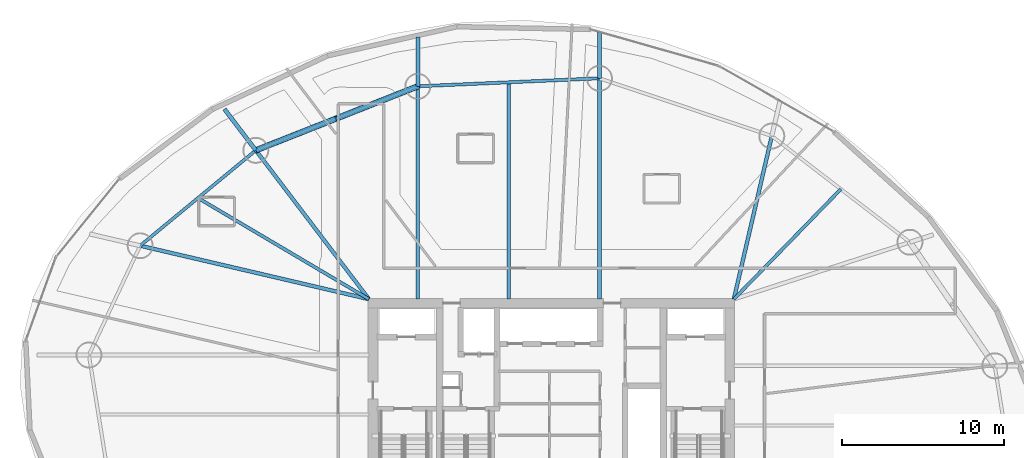
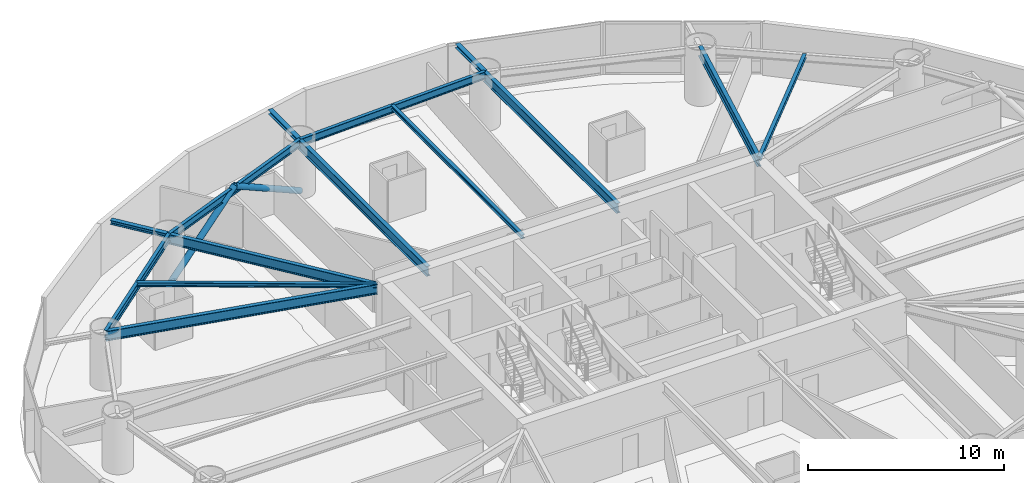
# One storey, part 12 of 23: 14 beams, 2 members.
"""IFC4 building model written with IfcOpenShell, lengths in metres."""

from ifc_helpers import new_model, si_unit, direction, frame, origin, origin_2d, place, context, subcontext, project, spatial, hollow_circle, i_section, extrude, material, material_profile, profile_set, type_object, element, save


model = new_model("IFC4")

# Units and contexts
model_context = context("Model", 3, precision=1e-05, world=origin(), true_north=direction((0.0, 1.0)))
body_context = subcontext(model_context, "Body", "Model", "MODEL_VIEW")
ifc_project = project(units=[si_unit("LENGTHUNIT", "METRE"), si_unit("AREAUNIT", "SQUARE_METRE"), si_unit("VOLUMEUNIT", "CUBIC_METRE"), si_unit("PLANEANGLEUNIT", "RADIAN"), si_unit("MASSUNIT", "GRAM", prefix="KILO")], contexts=[model_context])

# Site, building, storey
site_placement = place(None, origin())
site = spatial("IfcSite", under=ifc_project, at=site_placement, CompositionType="ELEMENT")
building_placement = place(site_placement, origin())
building = spatial("IfcBuilding", under=site, at=building_placement, Name="Bramvorn Convention Spire", CompositionType="ELEMENT")
storey_placement = place(building_placement, frame((0.0, 0.0, 69.39990234375)))
storey = spatial("IfcBuildingStorey", under=building, at=storey_placement, Name="L15", CompositionType="ELEMENT", Elevation=69.39990234375)

# Beams
ifc_material = material(Name="Steel CSA G40.21 Grade 350 (350W)", Category="steel")
ifc_material_profile_1 = material_profile(ifc_material, i_section(OverallWidth=0.201904296875, OverallDepth=0.2470703125, WebThickness=0.00732421875, FlangeThickness=0.010986328125, FilletRadius=0.011962890625, at=origin_2d()))
ifc_profile_set_1 = profile_set([ifc_material_profile_1], Name="Steel CSA G40.21 Grade 350 (350W) - W250X49")
beam_type_1 = type_object("IfcBeamType", Name="BM-W250X49", PredefinedType="JOIST", material=ifc_profile_set_1)
beam_1_placement = place(storey_placement, frame((49.25, 33.449951171875, 3.126708984375), z_axis=(0.697170484005, 0.716905374671, 0.0), x_axis=(-0.716905374671, 0.697170484005, 0.0)))
element("IfcBeam", 1, at=beam_1_placement, inside=storey, type_object=beam_type_1, Name="L15 composite floor joist 03", PredefinedType="JOIST", context=body_context, shape_type="SweptSolid", body=[
    extrude(i_section(OverallWidth=0.201904296875, OverallDepth=0.2470703125, WebThickness=0.00732421875, FlangeThickness=0.010986328125, FilletRadius=0.011962890625, at=origin_2d()), origin(), (0.0, 0.0, 1.0), 9.4638671875),
])
beam_2_placement = place(storey_placement, frame((35.361572265625, 33.449951171875, 3.126708984375), z_axis=(0.0, 1.0, 0.0), x_axis=(-1.0, 0.0, 0.0)))
element("IfcBeam", 2, at=beam_2_placement, inside=storey, type_object=beam_type_1, Name="L15 composite floor joist 05", PredefinedType="JOIST", context=body_context, shape_type="SweptSolid", body=[
    extrude(i_section(OverallWidth=0.201904296875, OverallDepth=0.2470703125, WebThickness=0.00732421875, FlangeThickness=0.010986328125, FilletRadius=0.011962890625, at=origin_2d()), origin(), (0.0, 0.0, 1.0), 13.372802734375),
])
beam_3_placement = place(storey_placement, frame((26.75, 33.449951171875, 3.126708984375), z_axis=(-0.860664556648, 0.509172388223, 0.0), x_axis=(-0.509172388223, -0.860664556648, 0.0)))
element("IfcBeam", 3, at=beam_3_placement, inside=storey, type_object=beam_type_1, Name="L15 composite floor joist 07", PredefinedType="JOIST", context=body_context, shape_type="SweptSolid", body=[
    extrude(i_section(OverallWidth=0.201904296875, OverallDepth=0.2470703125, WebThickness=0.00732421875, FlangeThickness=0.010986328125, FilletRadius=0.011962890625, at=origin_2d()), origin(), (0.0, 0.0, 1.0), 12.25048828125),
])
ifc_material_profile_2 = material_profile(ifc_material, i_section(OverallWidth=0.25390625, OverallDepth=0.2529296875, WebThickness=0.008544921875, FlangeThickness=0.01416015625, FilletRadius=0.011962890625, at=origin_2d()))
ifc_profile_set_2 = profile_set([ifc_material_profile_2], Name="Steel CSA G40.21 Grade 350 (350W) - W250X73")
beam_type_2 = type_object("IfcBeamType", Name="BM-W250X73", PredefinedType="BEAM", material=ifc_profile_set_2)
beam_4_placement = place(storey_placement, frame((40.9609375, 47.06884765625, 3.12353515625), z_axis=(0.0, 1.0, 0.0), x_axis=(-1.0, 0.0, 0.0)))
element("IfcBeam", 4, at=beam_4_placement, inside=storey, type_object=beam_type_2, Name="L15 slab-edge cantilever tip beam MC05", PredefinedType="BEAM", context=body_context, shape_type="SweptSolid", body=[
    extrude(i_section(OverallWidth=0.25390625, OverallDepth=0.2529296875, WebThickness=0.008544921875, FlangeThickness=0.01416015625, FilletRadius=0.011962890625, at=origin_2d()), origin(), (0.0, 0.0, 1.0), 2.82958984375),
])
beam_5_placement = place(storey_placement, frame((29.76220703125, 46.57666015625, 3.12353515625), z_axis=(0.0, 1.0, 0.0), x_axis=(-1.0, 0.0, 0.0)))
element("IfcBeam", 5, at=beam_5_placement, inside=storey, type_object=beam_type_2, Name="L15 slab-edge cantilever tip beam MC06", PredefinedType="BEAM", context=body_context, shape_type="SweptSolid", body=[
    extrude(i_section(OverallWidth=0.25390625, OverallDepth=0.2529296875, WebThickness=0.008544921875, FlangeThickness=0.01416015625, FilletRadius=0.011962890625, at=origin_2d()), origin(), (0.0, 0.0, 1.0), 3.029052734375),
])
beam_6_placement = place(storey_placement, frame((19.772216796875, 42.628662109375, 3.12353515625), z_axis=(-0.605150969009, 0.796110736461, 0.0), x_axis=(-0.796110736461, -0.605150969009, 0.0)))
element("IfcBeam", 6, at=beam_6_placement, inside=storey, type_object=beam_type_2, Name="L15 slab-edge cantilever tip beam MC07", PredefinedType="BEAM", context=body_context, shape_type="SweptSolid", body=[
    extrude(i_section(OverallWidth=0.25390625, OverallDepth=0.2529296875, WebThickness=0.008544921875, FlangeThickness=0.01416015625, FilletRadius=0.011962890625, at=origin_2d()), origin(), (0.0, 0.0, 1.0), 3.199951171875),
])
ifc_material_profile_3 = material_profile(ifc_material, i_section(OverallWidth=0.194091796875, OverallDepth=0.468994140625, WebThickness=0.0126953125, FlangeThickness=0.0205078125, FilletRadius=0.01806640625, at=origin_2d()))
ifc_profile_set_3 = profile_set([ifc_material_profile_3], Name="Steel CSA G40.21 Grade 350 (350W) - W460X106")
beam_type_3 = type_object("IfcBeamType", Name="BM-W460X106", PredefinedType="SPANDREL", material=ifc_profile_set_3)
beam_7_placement = place(storey_placement, frame((40.9609375, 47.06884765625, 3.015625), z_axis=(-0.999035582762, -0.043907907889, 0.0), x_axis=(0.043907907889, -0.999035582762, 0.0)))
element("IfcBeam", 7, at=beam_7_placement, inside=storey, type_object=beam_type_3, Name="L15 mega-column ring beam 05", PredefinedType="SPANDREL", context=body_context, shape_type="SweptSolid", body=[
    extrude(i_section(OverallWidth=0.194091796875, OverallDepth=0.468994140625, WebThickness=0.0126953125, FlangeThickness=0.0205078125, FilletRadius=0.01806640625, at=origin_2d()), origin(), (0.0, 0.0, 1.0), 11.20947265625),
])
beam_8_placement = place(storey_placement, frame((29.76220703125, 46.57666015625, 3.015625), z_axis=(-0.93000950609, -0.367535465749, 0.0), x_axis=(0.367535465749, -0.93000950609, 0.0)))
element("IfcBeam", 8, at=beam_8_placement, inside=storey, type_object=beam_type_3, Name="L15 mega-column ring beam 06", PredefinedType="SPANDREL", context=body_context, shape_type="SweptSolid", body=[
    extrude(i_section(OverallWidth=0.194091796875, OverallDepth=0.468994140625, WebThickness=0.0126953125, FlangeThickness=0.0205078125, FilletRadius=0.01806640625, at=origin_2d()), origin(), (0.0, 0.0, 1.0), 10.74169921875),
])
beam_9_placement = place(storey_placement, frame((19.772216796875, 42.628662109375, 3.015625), z_axis=(-0.771417680101, -0.636329130896, 0.0), x_axis=(0.636329130896, -0.771417680101, 0.0)))
element("IfcBeam", 9, at=beam_9_placement, inside=storey, type_object=beam_type_3, Name="L15 mega-column ring beam 07", PredefinedType="SPANDREL", context=body_context, shape_type="SweptSolid", body=[
    extrude(i_section(OverallWidth=0.194091796875, OverallDepth=0.468994140625, WebThickness=0.0126953125, FlangeThickness=0.0205078125, FilletRadius=0.01806640625, at=origin_2d()), origin(), (0.0, 0.0, 1.0), 9.244140625),
])
ifc_material_profile_4 = material_profile(ifc_material, i_section(OverallWidth=0.22998046875, OverallDepth=0.616943359375, WebThickness=0.01318359375, FlangeThickness=0.022216796875, FilletRadius=0.02001953125, at=origin_2d()))
ifc_profile_set_4 = profile_set([ifc_material_profile_4], Name="Steel CSA G40.21 Grade 350 (350W) - W610X140")
beam_type_4 = type_object("IfcBeamType", Name="BM-W610X140", PredefinedType="BEAM", material=ifc_profile_set_4)
beam_10_placement = place(storey_placement, frame((49.25, 33.449951171875, 2.941650390625), z_axis=(0.226606328522, 0.973986433106, 0.0), x_axis=(-0.973986433106, 0.226606328522, 0.0)))
element("IfcBeam", 10, at=beam_10_placement, inside=storey, type_object=beam_type_4, Name="L15 radial floor girder MC04", PredefinedType="BEAM", context=body_context, shape_type="SweptSolid", body=[
    extrude(i_section(OverallWidth=0.22998046875, OverallDepth=0.616943359375, WebThickness=0.01318359375, FlangeThickness=0.022216796875, FilletRadius=0.02001953125, at=origin_2d()), origin(), (0.0, 0.0, 1.0), 10.32763671875),
])
beam_11_placement = place(storey_placement, frame((40.9609375, 33.449951171875, 2.941650390625), z_axis=(0.0, 1.0, 0.0), x_axis=(-1.0, 0.0, 0.0)))
element("IfcBeam", 11, at=beam_11_placement, inside=storey, type_object=beam_type_4, Name="L15 radial floor girder MC05", PredefinedType="BEAM", context=body_context, shape_type="SweptSolid", body=[
    extrude(i_section(OverallWidth=0.22998046875, OverallDepth=0.616943359375, WebThickness=0.01318359375, FlangeThickness=0.022216796875, FilletRadius=0.02001953125, at=origin_2d()), origin(), (0.0, 0.0, 1.0), 13.618896484375),
])
beam_12_placement = place(storey_placement, frame((29.76220703125, 33.449951171875, 2.941650390625), z_axis=(0.0, 1.0, 0.0), x_axis=(-1.0, 0.0, 0.0)))
element("IfcBeam", 12, at=beam_12_placement, inside=storey, type_object=beam_type_4, Name="L15 radial floor girder MC06", PredefinedType="BEAM", context=body_context, shape_type="SweptSolid", body=[
    extrude(i_section(OverallWidth=0.22998046875, OverallDepth=0.616943359375, WebThickness=0.01318359375, FlangeThickness=0.022216796875, FilletRadius=0.02001953125, at=origin_2d()), origin(), (0.0, 0.0, 1.0), 13.126708984375),
])
beam_13_placement = place(storey_placement, frame((26.75, 33.449951171875, 2.941650390625), z_axis=(-0.605191175112, 0.796080172826, 0.0), x_axis=(-0.796080172826, -0.605191175112, 0.0)))
element("IfcBeam", 13, at=beam_13_placement, inside=storey, type_object=beam_type_4, Name="L15 radial floor girder MC07", PredefinedType="BEAM", context=body_context, shape_type="SweptSolid", body=[
    extrude(i_section(OverallWidth=0.22998046875, OverallDepth=0.616943359375, WebThickness=0.01318359375, FlangeThickness=0.022216796875, FilletRadius=0.02001953125, at=origin_2d()), origin(), (0.0, 0.0, 1.0), 11.52978515625),
])
beam_14_placement = place(storey_placement, frame((26.75, 33.449951171875, 2.941650390625), z_axis=(-0.973775294862, 0.227511923018, 0.0), x_axis=(-0.227511923018, -0.973775294862, 0.0)))
element("IfcBeam", 14, at=beam_14_placement, inside=storey, type_object=beam_type_4, Name="L15 radial floor girder MC08", PredefinedType="BEAM", context=body_context, shape_type="SweptSolid", body=[
    extrude(i_section(OverallWidth=0.22998046875, OverallDepth=0.616943359375, WebThickness=0.01318359375, FlangeThickness=0.022216796875, FilletRadius=0.02001953125, at=origin_2d()), origin(), (0.0, 0.0, 1.0), 14.48876953125),
])

# Members
ifc_material_profile_5 = material_profile(ifc_material, hollow_circle(Radius=0.177734375, WallThickness=0.015869140625, at=origin_2d()))
ifc_profile_set_5 = profile_set([ifc_material_profile_5], Name="Steel CSA G40.21 Grade 350 (350W) - CHS356X16")
member_type = type_object("IfcMemberType", Name="MBR-CHS356X16", PredefinedType="BRACE", material=ifc_profile_set_5)
member_1_placement = place(storey_placement, frame((29.76220703125, 46.57666015625, 0.0), z_axis=(-0.795674251791, -0.314435032295, 0.517719128005), x_axis=(0.367523576179, -0.930014204705, 0.0)))
element("IfcMember", 15, at=member_1_placement, inside=storey, type_object=member_type, Name="L15 perimeter Gothic lancet brace 6A", PredefinedType="BRACE", context=body_context, shape_type="SweptSolid", body=[
    extrude(hollow_circle(Radius=0.177734375, WallThickness=0.015869140625, at=origin_2d()), origin(), (0.0, 0.0, 1.0), 6.277587890625),
])
member_2_placement = place(storey_placement, frame((19.772216796875, 42.628662109375, 0.0), z_axis=(0.795678790301, 0.314460346939, 0.517696776954), x_axis=(-0.367547354558, 0.930004807599, 0.0)))
element("IfcMember", 16, at=member_2_placement, inside=storey, type_object=member_type, Name="L15 perimeter Gothic lancet brace 6B", PredefinedType="BRACE", context=body_context, shape_type="SweptSolid", body=[
    extrude(hollow_circle(Radius=0.177734375, WallThickness=0.015869140625, at=origin_2d()), origin(), (0.0, 0.0, 1.0), 6.27783203125),
])

save(model, "model.ifc")
